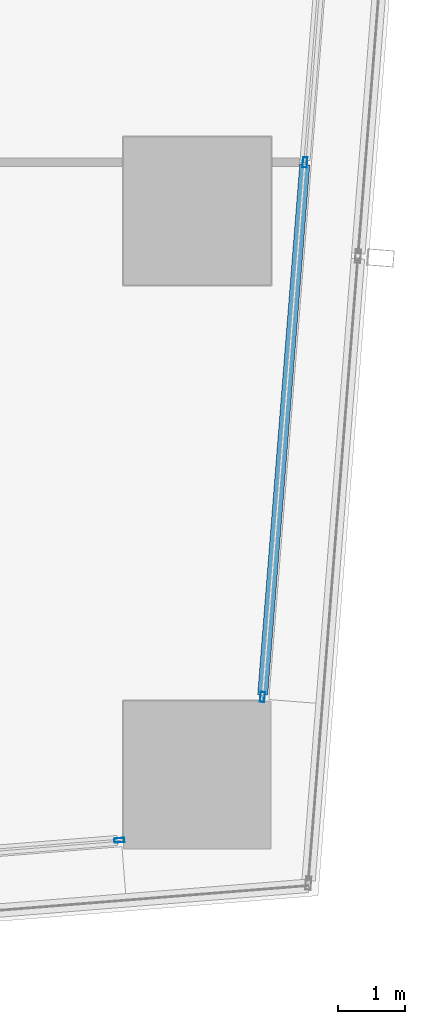
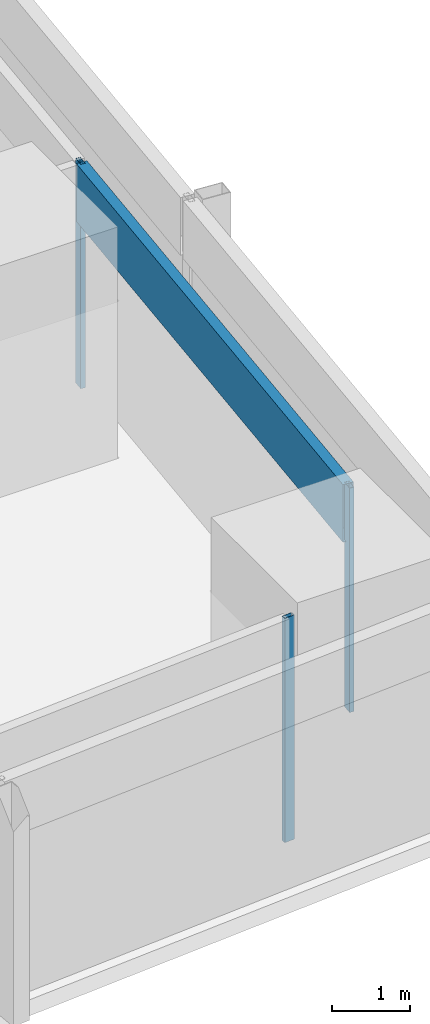
# One storey, part 12 of 44: 4 members, 2 elements without a shape of their own.
"""IFC4 building model written with IfcOpenShell, lengths in metres."""

import ifcopenshell
import ifcopenshell.guid

model = None  # the IFC model being written
_history = None  # IfcOwnerHistory: only IFC2X3 demands one
_inside = {}  # id of a spatial element -> (the spatial element, [elements in it])
_under = {}  # id of a project, library or spatial element -> (it, [spatial elements below it])
_declared = {}  # id of a project -> (the project, [libraries it declares])
_typed = {}  # id of a type object -> (the type object, [elements of that type])
_made_of = {}  # id of a material, layer set ... -> (it, [elements and type objects made of it])


def new_model(schema):
    """Start an empty IFC model of exactly this schema.

    Asked for "IFC4X3", IfcOpenShell would pick the latest addendum, in which some entities
    have other attributes; the version numbers below select the first issue.
    IFC2X3 requires an IfcOwnerHistory on every rooted entity: one is made here for all.
    """
    global model, _history
    if schema == "IFC4X3":
        model = ifcopenshell.file(schema_version=(4, 3, 0, 0))
    else:
        model = ifcopenshell.file(schema=schema)
    _inside.clear()
    _under.clear()
    _declared.clear()
    _typed.clear()
    _made_of.clear()
    _history = None
    if model.schema == "IFC2X3":
        org = make("IfcOrganization", Name="unknown")
        user = make(
            "IfcPersonAndOrganization",
            ThePerson=make("IfcPerson", FamilyName="unknown"),
            TheOrganization=org,
        )
        app = make(
            "IfcApplication",
            ApplicationDeveloper=org,
            Version="unknown",
            ApplicationFullName="unknown",
            ApplicationIdentifier="unknown",
        )
        _history = make(
            "IfcOwnerHistory",
            OwningUser=user,
            OwningApplication=app,
            ChangeAction="ADDED",
            CreationDate=0,
        )
    return model


def make(cls, **values):
    """One entity of the class cls with the attributes given. An attribute that is None is left unset."""
    return model.create_entity(
        cls, **{name: value for name, value in values.items() if value is not None}
    )


def rooted(cls, **values):
    """An entity with a GlobalId (a new one), such as an element, a storey or a relation."""
    return make(cls, GlobalId=ifcopenshell.guid.new(), OwnerHistory=_history, **values)


def si_unit(unit_type, name, prefix=None):
    """IfcSIUnit, for example si_unit("LENGTHUNIT", "METRE", prefix="MILLI")."""
    return make("IfcSIUnit", UnitType=unit_type, Prefix=prefix, Name=name)


def assignment(units):
    """IfcUnitAssignment: the units of a project."""
    return None if units is None else make("IfcUnitAssignment", Units=units)


def point(xyz):
    """IfcCartesianPoint."""
    return None if xyz is None else make("IfcCartesianPoint", Coordinates=xyz)


def direction(xyz):
    """IfcDirection."""
    return None if xyz is None else make("IfcDirection", DirectionRatios=xyz)


def frame(location, z_axis=None, x_axis=None):
    """IfcAxis2Placement3D, a coordinate frame: its origin and axes. An axis left out is left unset."""
    return make(
        "IfcAxis2Placement3D",
        Location=point(location),
        Axis=direction(z_axis),
        RefDirection=direction(x_axis),
    )


def frame_2d(location, x_axis=None):
    """IfcAxis2Placement2D, a coordinate frame in the plane: its origin and x axis."""
    return make(
        "IfcAxis2Placement2D", Location=point(location), RefDirection=direction(x_axis)
    )


def origin():
    """The frame at (0, 0, 0) with its axes left unset."""
    return frame((0.0, 0.0, 0.0))


def origin_2d():
    """The frame at (0, 0) in the plane with its x axis left unset."""
    return frame_2d((0.0, 0.0))


def place(relative_to, where):
    """IfcLocalPlacement: puts the frame where relative to a parent placement (None: the world)."""
    return make(
        "IfcLocalPlacement", PlacementRelTo=relative_to, RelativePlacement=where
    )


def context(
    kind, dimensions, precision=None, world=None, true_north=None, identifier=None
):
    """IfcGeometricRepresentationContext, for example the 3D "Model" context."""
    return make(
        "IfcGeometricRepresentationContext",
        ContextIdentifier=identifier,
        ContextType=kind,
        CoordinateSpaceDimension=dimensions,
        Precision=precision,
        WorldCoordinateSystem=world,
        TrueNorth=true_north,
    )


def subcontext(parent, identifier, kind, view, scale=None):
    """IfcGeometricRepresentationSubContext, for example "Body" below "Model"."""
    return make(
        "IfcGeometricRepresentationSubContext",
        ContextIdentifier=identifier,
        ContextType=kind,
        ParentContext=parent,
        TargetScale=scale,
        TargetView=view,
    )


def project(units=None, contexts=None):
    """IfcProject with its units and contexts."""
    return rooted(
        "IfcProject",
        Name="project",
        RepresentationContexts=contexts,
        UnitsInContext=assignment(units),
    )


def spatial(cls, under=None, at=None, **own):
    """A site, building, storey or space (cls), placed at a placement, below another one or the project."""
    s = rooted(cls, ObjectPlacement=at, **own)
    if under is not None:
        _under.setdefault(under.id(), (under, []))[1].append(s)
    return s


def profile(cls, at=None, kind="AREA", **sizes):
    """A parametric profile (cls). Its sizes go by their IFC names, for example OverallWidth=200.0."""
    return make(cls, ProfileType=kind, Position=at, **sizes)


def hollow_rectangle(**sizes):
    """IfcRectangleHollowProfileDef."""
    return profile("IfcRectangleHollowProfileDef", **sizes)


def extrude(swept, where, along, depth):
    """IfcExtrudedAreaSolid: the profile swept, set in the frame where, extruded along a direction by depth."""
    return make(
        "IfcExtrudedAreaSolid",
        SweptArea=swept,
        Position=where,
        ExtrudedDirection=direction(along),
        Depth=depth,
    )


def shape(context_of_items, identifier, shape_type, items):
    """IfcShapeRepresentation: the items that make up one representation, for example the "Body"."""
    return make(
        "IfcShapeRepresentation",
        ContextOfItems=context_of_items,
        RepresentationIdentifier=identifier,
        RepresentationType=shape_type,
        Items=items,
    )


def material(Name=None, Category=None):
    """IfcMaterial."""
    return make("IfcMaterial", Name=Name, Category=Category)


def material_profile(
    of_material, cross_section, Name=None, Category=None, Priority=None
):
    """IfcMaterialProfile: a cross section and its material."""
    return make(
        "IfcMaterialProfile",
        Name=Name,
        Material=of_material,
        Profile=cross_section,
        Priority=Priority,
        Category=Category,
    )


def profile_set(profiles, Name=None, composite=None):
    """IfcMaterialProfileSet."""
    return make(
        "IfcMaterialProfileSet",
        Name=Name,
        MaterialProfiles=profiles,
        CompositeProfile=composite,
    )


def made_of(thing, what):
    """Note that an element or type object is made of a material, layer set ...; save() writes the relation."""
    if what is not None:
        _made_of.setdefault(what.id(), (what, []))[1].append(thing)
    return thing


def type_object(cls, material=None, **own):
    """A type object (cls), such as IfcWallType, which elements share."""
    return made_of(rooted(cls, **own), material)


def element(
    cls,
    number,
    at=None,
    inside=None,
    cuts=None,
    type_object=None,
    material=None,
    context=None,
    identifier="Body",
    shape_type=None,
    held_by="IfcProductDefinitionShape",
    body=None,
    shapes=None,
    **own,
):
    """One element of the class cls, such as IfcWall. Its Tag is "e" and its number.

    at: its placement. inside: the storey or other place that contains it. cuts: it is an
    opening in that element (IfcRelVoidsElement). A single representation is given by context,
    identifier, shape_type and body (its items); several are given by shapes. held_by: the class
    of the entity that holds the representations. save() writes the other relations.
    """
    e = rooted(cls, Tag="e%d" % number, ObjectPlacement=at, **own)
    if body is not None:
        shapes = [shape(context, identifier, shape_type, body)]
    if shapes is not None:
        e.Representation = make(held_by, Representations=shapes)
    if inside is not None:
        _inside.setdefault(inside.id(), (inside, []))[1].append(e)
    if cuts is not None:
        rooted(
            "IfcRelVoidsElement", RelatingBuildingElement=cuts, RelatedOpeningElement=e
        )
    if type_object is not None:
        _typed.setdefault(type_object.id(), (type_object, []))[1].append(e)
    return made_of(e, material)


def aggregate(whole, parts):
    """IfcRelAggregates: a whole, such as a stair, and the parts it consists of."""
    return rooted("IfcRelAggregates", RelatingObject=whole, RelatedObjects=parts)


def save(model, path):
    """Write the relations noted so far, then the file.

    IfcRelAggregates (storeys below a building ...), IfcRelContainedInSpatialStructure (elements
    in a storey), IfcRelDefinesByType, IfcRelAssociatesMaterial and IfcRelDeclares: one each for
    every whole, place, type object, material and project.
    """
    for whole, parts in _under.values():
        aggregate(whole, parts)
    for where, things in _inside.values():
        rooted(
            "IfcRelContainedInSpatialStructure",
            RelatedElements=things,
            RelatingStructure=where,
        )
    for kind, things in _typed.values():
        rooted("IfcRelDefinesByType", RelatedObjects=things, RelatingType=kind)
    for what, things in _made_of.values():
        rooted("IfcRelAssociatesMaterial", RelatedObjects=things, RelatingMaterial=what)
    for by, libraries in _declared.values():
        rooted("IfcRelDeclares", RelatingContext=by, RelatedDefinitions=libraries)
    model.write(path)


model = new_model("IFC4")

# Units and contexts
model_context = context("Model", 3, precision=1e-05, world=origin(), true_north=direction((0.0, 1.0)))
body_context = subcontext(model_context, "Body", "Model", "MODEL_VIEW")
ifc_project = project(units=[si_unit("LENGTHUNIT", "METRE"), si_unit("AREAUNIT", "SQUARE_METRE"), si_unit("VOLUMEUNIT", "CUBIC_METRE"), si_unit("PLANEANGLEUNIT", "RADIAN"), si_unit("MASSUNIT", "GRAM", prefix="KILO")], contexts=[model_context])

# Site, building, storey
site_placement = place(None, origin())
site = spatial("IfcSite", under=ifc_project, at=site_placement, CompositionType="ELEMENT")
building_placement = place(site_placement, origin())
building = spatial("IfcBuilding", under=site, at=building_placement, Name="Rekha Terrace Tower", CompositionType="ELEMENT")
storey_placement = place(building_placement, frame((0.0, 0.0, 47.89990234375)))
storey = spatial("IfcBuildingStorey", under=building, at=storey_placement, Name="L11", CompositionType="ELEMENT", Elevation=47.89990234375)

# Curtain wall, member
ifc_material_1 = material(Name="Aluminium framing", Category="aluminium")
curtain_wall_type = type_object("IfcCurtainWallType", Name="CW1 double skin inner glazing", PredefinedType="USERDEFINED", material=ifc_material_1)
curtain_wall_1_placement = place(storey_placement, origin())
curtain_wall_1 = element("IfcCurtainWall", 1, at=curtain_wall_1_placement, inside=storey, type_object=curtain_wall_type, Name="CW1 double skin inner glazing", ObjectType="DOUBLE SKIN INNER GLAZING", PredefinedType="USERDEFINED")
ifc_material_2 = material(Name="Aluminium mullion section", Category="aluminium")
ifc_material_profile_1 = material_profile(ifc_material_2, hollow_rectangle(XDim=0.06494140625, YDim=0.14990234375, WallThickness=0.00390625, at=origin_2d()), Name="AL RHS 65x150")
ifc_profile_set_1 = profile_set([ifc_material_profile_1], Name="Aluminium mullion section")
member_type_1 = type_object("IfcMemberType", Name="CW1 mullion RHS 65 x 150", PredefinedType="MULLION", material=ifc_profile_set_1)
member_1_placement = place(storey_placement, frame((66.0400390625, 7.42626953125, 0.0), z_axis=(0.0, 0.0, 1.0), x_axis=(-0.079872204468, 0.996805111821, 0.0)))
member_1 = element("IfcMember", 2, at=member_1_placement, type_object=member_type_1, Name="CW1 mullion 3", PredefinedType="MULLION", context=body_context, shape_type="SweptSolid", body=[
    extrude(hollow_rectangle(XDim=0.06494140625, YDim=0.14990234375, WallThickness=0.00390625, at=origin_2d()), origin(), (0.0, 0.0, 1.0), 3.5),
])
aggregate(curtain_wall_1, [member_1])

# Curtain wall, members
curtain_wall_2_placement = place(storey_placement, origin())
curtain_wall_2 = element("IfcCurtainWall", 3, at=curtain_wall_2_placement, inside=storey, type_object=curtain_wall_type, Name="CW1 double skin inner glazing", ObjectType="DOUBLE SKIN INNER GLAZING", PredefinedType="USERDEFINED")
member_2_placement = place(storey_placement, frame((68.171630859375, 9.559814453125, 0.0), z_axis=(0.0, 0.0, 1.0), x_axis=(-0.996865392576, 0.079116301, 0.0)))
member_2 = element("IfcMember", 4, at=member_2_placement, type_object=member_type_1, Name="CW1 mullion 1", PredefinedType="MULLION", context=body_context, shape_type="SweptSolid", body=[
    extrude(hollow_rectangle(XDim=0.06494140625, YDim=0.14990234375, WallThickness=0.00390625, at=origin_2d()), origin(), (0.0, 0.0, 1.0), 3.5),
])
member_3_placement = place(storey_placement, frame((68.8037109375, 17.5234375, 0.0), z_axis=(0.0, 0.0, 1.0), x_axis=(-0.996865392576, 0.079116301, 0.0)))
member_3 = element("IfcMember", 5, at=member_3_placement, type_object=member_type_1, Name="CW1 mullion 2", PredefinedType="MULLION", context=body_context, shape_type="SweptSolid", body=[
    extrude(hollow_rectangle(XDim=0.06494140625, YDim=0.14990234375, WallThickness=0.00390625, at=origin_2d()), origin(), (0.0, 0.0, 1.0), 3.5),
])
ifc_material_3 = material(Name="Insulated aluminium spandrel box", Category="aluminium")
ifc_material_profile_2 = material_profile(ifc_material_3, hollow_rectangle(XDim=0.14990234375, YDim=0.89990234375, WallThickness=0.0029296875, at=origin_2d()), Name="AL SPANDREL BOX 150x900")
ifc_profile_set_2 = profile_set([ifc_material_profile_2], Name="Insulated aluminium spandrel box")
member_type_2 = type_object("IfcMemberType", Name="CW1 spandrel transom 150 x 900", PredefinedType="USERDEFINED", material=ifc_profile_set_2)
member_4_placement = place(storey_placement, frame((68.174072265625, 9.59228515625, 3.050048828125), z_axis=(0.079125535375, 0.996864659646, 0.0), x_axis=(-0.996864659646, 0.079125535375, 0.0)))
member_4 = element("IfcMember", 6, at=member_4_placement, type_object=member_type_2, Name="CW1 spandrel transom 1", ObjectType="TRANSOM", PredefinedType="USERDEFINED", context=body_context, shape_type="SweptSolid", body=[
    extrude(hollow_rectangle(XDim=0.14990234375, YDim=0.89990234375, WallThickness=0.0029296875, at=origin_2d()), origin(), (0.0, 0.0, 1.0), 7.923583984375),
])
aggregate(curtain_wall_2, [member_2, member_3, member_4])

save(model, "model.ifc")
